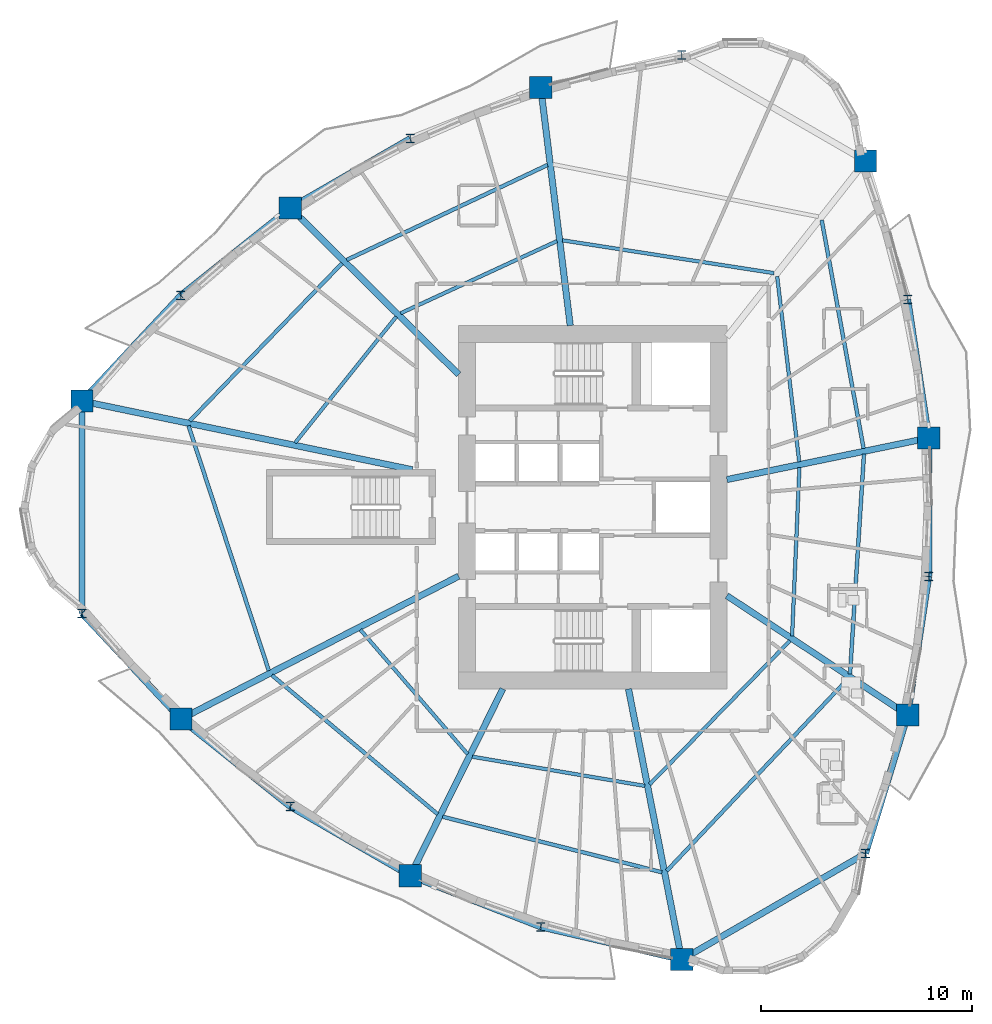
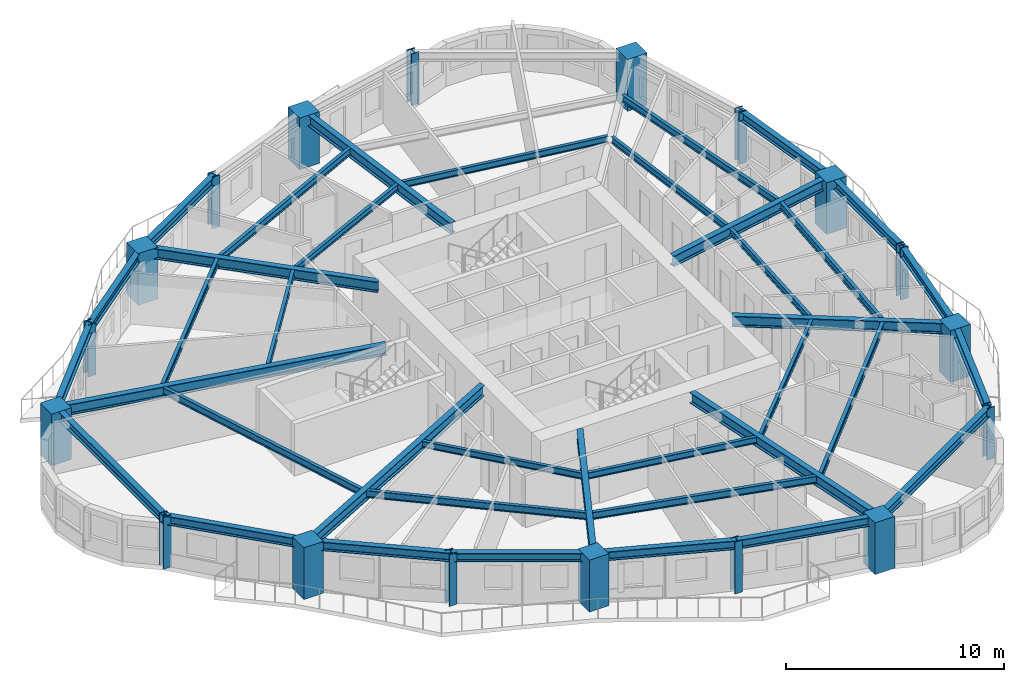
# One storey, part 1 of 13: 38 beams, 18 columns.
"""IFC4 building model written with IfcOpenShell, lengths in metres."""

from ifc_helpers import new_model, si_unit, direction, frame, origin, origin_2d, place, context, subcontext, project, spatial, rectangle, i_section, extrude, source, transform, mapped, material, material_profile, profile_set, type_object, element, save


model = new_model("IFC4")

# Units and contexts
model_context = context("Model", 3, precision=1e-05, world=origin(), true_north=direction((0.0, 1.0)))
body_context = subcontext(model_context, "Body", "Model", "MODEL_VIEW")
ifc_project = project(units=[si_unit("LENGTHUNIT", "METRE"), si_unit("AREAUNIT", "SQUARE_METRE"), si_unit("VOLUMEUNIT", "CUBIC_METRE"), si_unit("PLANEANGLEUNIT", "RADIAN"), si_unit("MASSUNIT", "GRAM", prefix="KILO")], contexts=[model_context])

# Site, building, storey
site_placement = place(None, origin())
site = spatial("IfcSite", under=ifc_project, at=site_placement, CompositionType="ELEMENT")
building_placement = place(site_placement, origin())
building = spatial("IfcBuilding", under=site, at=building_placement, Name="Qafzar Sky-Pleat Residences", CompositionType="ELEMENT")
storey_placement = place(building_placement, frame((0.0, 0.0, 62.199951171875)))
storey = spatial("IfcBuildingStorey", under=building, at=storey_placement, Name="L18", CompositionType="ELEMENT", Elevation=62.199951171875)

# Columns
ifc_material_1 = material(Name="Concrete C60/75", Category="concrete")
ifc_material_profile_1 = material_profile(ifc_material_1, rectangle(XDim=1.050048828125, YDim=1.050048828125, at=origin_2d()), Name="RC 1050x1050")
ifc_profile_set_1 = profile_set([ifc_material_profile_1], Name="Concrete C60/75")
column_type_1 = type_object("IfcColumnType", Name="COL-RC-1050", PredefinedType="COLUMN", material=ifc_profile_set_1)
shared_shape_1 = source(origin(), body_context, "Body", "SweptSolid", [
    extrude(rectangle(XDim=1.050048828125, YDim=1.050048828125, at=origin_2d()), origin(), (0.0, 0.0, 1.0), 2.900146484375),
])
for number, where, z_axis, x_axis, name in (
    (1, (6.175048828125, 31.02294921875, 0.0), (0.0, 0.0, 1.0), (1.0, 0.0, 0.0), "L18 Perimeter Mega Column 1"),
    (2, (10.85595703125, 15.97314453125, 0.0), (0.0, 0.0, 1.0), (1.0, 0.0, 0.0), "L18 Perimeter Mega Column 3"),
    (3, (21.712890625, 8.554443359375, 0.0), (0.0, 0.0, 1.0), (1.0, 0.0, 0.0), "L18 Perimeter Mega Column 5"),
    (4, (34.5625, 4.58740234375, 0.0), (0.0, 0.0, 1.0), (1.0, 0.0, 0.0), "L18 Perimeter Mega Column 7"),
    (5, (45.255615234375, 16.166259765625, 0.0), (0.0, 0.0, 1.0), (1.0, 0.0, 0.0), "L18 Perimeter Mega Column 9"),
    (6, (46.251953125, 29.27783203125, 0.0), (0.0, 0.0, 1.0), (1.0, 0.0, 0.0), "L18 Perimeter Mega Column 11"),
    (7, (43.262451171875, 42.389404296875, 0.0), (0.0, 0.0, 1.0), (1.0, 0.0, 0.0), "L18 Perimeter Mega Column 13"),
    (8, (27.888427734375, 45.860595703125, 0.0), (0.0, 0.0, 1.0), (1.0, 0.0, 0.0), "L18 Perimeter Mega Column 15"),
    (9, (16.035400390625, 40.167724609375, 0.0), (0.0, 0.0, 1.0), (1.0, 0.0, 0.0), "L18 Perimeter Mega Column 17"),
):
    element("IfcColumn", number, at=place(storey_placement, frame(where, z_axis=z_axis, x_axis=x_axis)), inside=storey, type_object=column_type_1, Name=name, PredefinedType="COLUMN", context=body_context, shape_type="MappedRepresentation", body=[
        mapped(shared_shape_1, transform((0.0, 0.0, 0.0), x_axis=(1.0, 0.0, 0.0), y_axis=(0.0, 1.0, 0.0), z_axis=(0.0, 0.0, 1.0), scale=1.0)),
    ])
ifc_material_2 = material(Name="Steel S460", Category="steel")
ifc_material_profile_2 = material_profile(ifc_material_2, i_section(OverallWidth=0.408935546875, OverallDepth=0.425048828125, WebThickness=0.030029296875, FlangeThickness=0.048095703125, FilletRadius=0.014892578125, at=origin_2d()), Name="HD 400x421")
ifc_profile_set_2 = profile_set([ifc_material_profile_2], Name="Steel S460")
column_type_2 = type_object("IfcColumnType", Name="COL-STL-HD421", PredefinedType="PILASTER", material=ifc_profile_set_2)
shared_shape_2 = source(origin(), body_context, "Body", "SweptSolid", [
    extrude(i_section(OverallWidth=0.408935546875, OverallDepth=0.425048828125, WebThickness=0.030029296875, FlangeThickness=0.048095703125, FilletRadius=0.014892578125, at=origin_2d()), origin(), (0.0, 0.0, 1.0), 2.900146484375),
])
for number, where, z_axis, x_axis, name in (
    (10, (6.175048828125, 20.97705078125, 0.0), (0.0, 0.0, 1.0), (1.0, 0.0, 0.0), "L18 Perimeter Mega Column 2"),
    (11, (16.035400390625, 11.832275390625, 0.0), (0.0, 0.0, 1.0), (1.0, 0.0, 0.0), "L18 Perimeter Mega Column 4"),
    (12, (27.888427734375, 6.139404296875, 0.0), (0.0, 0.0, 1.0), (1.0, 0.0, 0.0), "L18 Perimeter Mega Column 6"),
    (13, (43.262451171875, 9.610595703125, 0.0), (0.0, 0.0, 1.0), (1.0, 0.0, 0.0), "L18 Perimeter Mega Column 8"),
    (14, (46.251953125, 22.72216796875, 0.0), (0.0, 0.0, 1.0), (1.0, 0.0, 0.0), "L18 Perimeter Mega Column 10"),
    (15, (45.255615234375, 35.833740234375, 0.0), (0.0, 0.0, 1.0), (1.0, 0.0, 0.0), "L18 Perimeter Mega Column 12"),
    (16, (34.5625, 47.41259765625, 0.0), (0.0, 0.0, 1.0), (1.0, 0.0, 0.0), "L18 Perimeter Mega Column 14"),
    (17, (21.712890625, 43.445556640625, 0.0), (0.0, 0.0, 1.0), (1.0, 0.0, 0.0), "L18 Perimeter Mega Column 16"),
    (18, (10.85595703125, 36.02685546875, 0.0), (0.0, 0.0, 1.0), (1.0, 0.0, 0.0), "L18 Perimeter Mega Column 18"),
):
    element("IfcColumn", number, at=place(storey_placement, frame(where, z_axis=z_axis, x_axis=x_axis)), inside=storey, type_object=column_type_2, Name=name, PredefinedType="PILASTER", context=body_context, shape_type="MappedRepresentation", body=[
        mapped(shared_shape_2, transform((0.0, 0.0, 0.0), x_axis=(1.0, 0.0, 0.0), y_axis=(0.0, 1.0, 0.0), z_axis=(0.0, 0.0, 1.0), scale=1.0)),
    ])

# Beams
ifc_material_3 = material(Name="Steel S355", Category="steel")
ifc_material_profile_3 = material_profile(ifc_material_3, i_section(OverallWidth=0.300048828125, OverallDepth=0.5, WebThickness=0.014404296875, FlangeThickness=0.028076171875, FilletRadius=0.027099609375, at=origin_2d()), Name="HEB 500")
ifc_profile_set_3 = profile_set([ifc_material_profile_3], Name="Steel S355")
beam_type_1 = type_object("IfcBeamType", Name="BM-SPAN-HEB500", PredefinedType="SPANDREL", material=ifc_profile_set_3)
shared_shape_3 = source(origin(), body_context, "Body", "SweptSolid", [
    extrude(i_section(OverallWidth=0.300048828125, OverallDepth=0.5, WebThickness=0.014404296875, FlangeThickness=0.028076171875, FilletRadius=0.027099609375, at=origin_2d()), origin(), (0.0, 0.0, 1.0), 10.0458984375),
])
for number, where, z_axis, x_axis, name in (
    (19, (6.175048828125, 31.02294921875, 2.64794921875), (0.0, -1.0, 0.0), (1.0, 0.0, 0.0), "L18 Perimeter Spandrel Beam 1"),
    (20, (34.5625, 4.58740234375, 2.64794921875), (0.866013584312, 0.500020471368, 0.0), (-0.500020471368, 0.866013584312, 0.0), "L18 Perimeter Spandrel Beam 7"),
):
    element("IfcBeam", number, at=place(storey_placement, frame(where, z_axis=z_axis, x_axis=x_axis)), inside=storey, type_object=beam_type_1, Name=name, PredefinedType="SPANDREL", context=body_context, shape_type="MappedRepresentation", body=[
        mapped(shared_shape_3, transform((0.0, 0.0, 0.0), x_axis=(1.0, 0.0, 0.0), y_axis=(0.0, 1.0, 0.0), z_axis=(0.0, 0.0, 1.0), scale=1.0)),
    ])
shared_shape_4 = source(origin(), body_context, "Body", "SweptSolid", [
    extrude(i_section(OverallWidth=0.300048828125, OverallDepth=0.5, WebThickness=0.014404296875, FlangeThickness=0.028076171875, FilletRadius=0.027099609375, at=origin_2d()), origin(), (0.0, 0.0, 1.0), 6.85205078125),
])
for number, where, z_axis, x_axis, name in (
    (21, (6.175048828125, 20.97705078125, 2.64794921875), (0.683144256595, -0.730283455024, 0.0), (0.730283455024, 0.683144256595, 0.0), "L18 Perimeter Spandrel Beam 2"),
    (22, (27.888427734375, 6.139404296875, 2.64794921875), (0.974011500326, -0.226498559007, 0.0), (0.226498559007, 0.974011500326, 0.0), "L18 Perimeter Spandrel Beam 6"),
    (23, (43.262451171875, 9.610595703125, 2.64794921875), (0.290889380192, 0.95675669242, 0.0), (-0.95675669242, 0.290889380192, 0.0), "L18 Perimeter Spandrel Beam 8"),
    (24, (10.85595703125, 36.02685546875, 2.64794921875), (-0.683144256595, -0.730283455024, 0.0), (0.730283455024, -0.683144256595, 0.0), "L18 Perimeter Spandrel Beam 18"),
):
    element("IfcBeam", number, at=place(storey_placement, frame(where, z_axis=z_axis, x_axis=x_axis)), inside=storey, type_object=beam_type_1, Name=name, PredefinedType="SPANDREL", context=body_context, shape_type="MappedRepresentation", body=[
        mapped(shared_shape_4, transform((0.0, 0.0, 0.0), x_axis=(1.0, 0.0, 0.0), y_axis=(0.0, 1.0, 0.0), z_axis=(0.0, 0.0, 1.0), scale=1.0)),
    ])
shared_shape_5 = source(origin(), body_context, "Body", "SweptSolid", [
    extrude(i_section(OverallWidth=0.300048828125, OverallDepth=0.5, WebThickness=0.014404296875, FlangeThickness=0.028076171875, FilletRadius=0.027099609375, at=origin_2d()), origin(), (0.0, 0.0, 1.0), 6.63134765625),
])
for number, where, z_axis, x_axis, name in (
    (25, (10.85595703125, 15.97314453125, 2.64794921875), (0.781066323429, -0.624448075027, 0.0), (0.624448075027, 0.781066323429, 0.0), "L18 Perimeter Spandrel Beam 3"),
    (26, (16.035400390625, 40.167724609375, 2.64794921875), (-0.781066323429, -0.624448075027, 0.0), (0.624448075027, -0.781066323429, 0.0), "L18 Perimeter Spandrel Beam 17"),
):
    element("IfcBeam", number, at=place(storey_placement, frame(where, z_axis=z_axis, x_axis=x_axis)), inside=storey, type_object=beam_type_1, Name=name, PredefinedType="SPANDREL", context=body_context, shape_type="MappedRepresentation", body=[
        mapped(shared_shape_5, transform((0.0, 0.0, 0.0), x_axis=(1.0, 0.0, 0.0), y_axis=(0.0, 1.0, 0.0), z_axis=(0.0, 0.0, 1.0), scale=1.0)),
    ])
shared_shape_6 = source(origin(), body_context, "Body", "SweptSolid", [
    extrude(i_section(OverallWidth=0.300048828125, OverallDepth=0.5, WebThickness=0.014404296875, FlangeThickness=0.028076171875, FilletRadius=0.027099609375, at=origin_2d()), origin(), (0.0, 0.0, 1.0), 6.5556640625),
])
for number, where, z_axis, x_axis, name in (
    (27, (16.035400390625, 11.832275390625, 2.64794921875), (0.866029927155, -0.499992165211, 0.0), (0.499992165211, 0.866029927155, 0.0), "L18 Perimeter Spandrel Beam 4"),
    (28, (46.251953125, 22.72216796875, 2.64794921875), (0.0, 1.0, 0.0), (-1.0, 0.0, 0.0), "L18 Perimeter Spandrel Beam 10"),
    (29, (21.712890625, 43.445556640625, 2.64794921875), (-0.866029927155, -0.499992165211, 0.0), (0.499992165211, -0.866029927155, 0.0), "L18 Perimeter Spandrel Beam 16"),
):
    element("IfcBeam", number, at=place(storey_placement, frame(where, z_axis=z_axis, x_axis=x_axis)), inside=storey, type_object=beam_type_1, Name=name, PredefinedType="SPANDREL", context=body_context, shape_type="MappedRepresentation", body=[
        mapped(shared_shape_6, transform((0.0, 0.0, 0.0), x_axis=(1.0, 0.0, 0.0), y_axis=(0.0, 1.0, 0.0), z_axis=(0.0, 0.0, 1.0), scale=1.0)),
    ])
shared_shape_7 = source(origin(), body_context, "Body", "SweptSolid", [
    extrude(i_section(OverallWidth=0.300048828125, OverallDepth=0.5, WebThickness=0.014404296875, FlangeThickness=0.028076171875, FilletRadius=0.027099609375, at=origin_2d()), origin(), (0.0, 0.0, 1.0), 6.630859375),
])
beam_1_placement = place(storey_placement, frame((21.712890625, 8.554443359375, 2.64794921875), z_axis=(0.931318267356, -0.364206376782, 0.0), x_axis=(0.364206376782, 0.931318267356, 0.0)))
element("IfcBeam", 30, at=beam_1_placement, inside=storey, type_object=beam_type_1, Name="L18 Perimeter Spandrel Beam 5", PredefinedType="SPANDREL", context=body_context, shape_type="MappedRepresentation", body=[
    mapped(shared_shape_7, transform((0.0, 0.0, 0.0), x_axis=(1.0, 0.0, 0.0), y_axis=(0.0, 1.0, 0.0), z_axis=(0.0, 0.0, 1.0), scale=1.0)),
])
shared_shape_8 = source(origin(), body_context, "Body", "SweptSolid", [
    extrude(i_section(OverallWidth=0.300048828125, OverallDepth=0.5, WebThickness=0.014404296875, FlangeThickness=0.028076171875, FilletRadius=0.027099609375, at=origin_2d()), origin(), (0.0, 0.0, 1.0), 6.631103515625),
])
for number, where, z_axis, x_axis, name in (
    (31, (45.255615234375, 16.166259765625, 2.64794921875), (0.150250341483, 0.988647983301, 0.0), (-0.988647983301, 0.150250341483, 0.0), "L18 Perimeter Spandrel Beam 9"),
    (32, (46.251953125, 29.27783203125, 2.64794921875), (-0.150250341483, 0.988647983301, 0.0), (-0.988647983301, -0.150250341483, 0.0), "L18 Perimeter Spandrel Beam 11"),
):
    element("IfcBeam", number, at=place(storey_placement, frame(where, z_axis=z_axis, x_axis=x_axis)), inside=storey, type_object=beam_type_1, Name=name, PredefinedType="SPANDREL", context=body_context, shape_type="MappedRepresentation", body=[
        mapped(shared_shape_8, transform((0.0, 0.0, 0.0), x_axis=(1.0, 0.0, 0.0), y_axis=(0.0, 1.0, 0.0), z_axis=(0.0, 0.0, 1.0), scale=1.0)),
    ])
ifc_material_profile_4 = material_profile(ifc_material_3, i_section(OverallWidth=0.300048828125, OverallDepth=0.60009765625, WebThickness=0.015380859375, FlangeThickness=0.030029296875, FilletRadius=0.027099609375, at=origin_2d()), Name="HEB 600")
ifc_profile_set_4 = profile_set([ifc_material_profile_4], Name="Steel S355")
beam_type_2 = type_object("IfcBeamType", Name="BM-GIRD-HEB600", PredefinedType="BEAM", material=ifc_profile_set_4)
shared_shape_9 = source(origin(), body_context, "Body", "SweptSolid", [
    extrude(i_section(OverallWidth=0.300048828125, OverallDepth=0.60009765625, WebThickness=0.015380859375, FlangeThickness=0.030029296875, FilletRadius=0.027099609375, at=origin_2d()), origin(), (0.0, 0.0, 1.0), 15.9658203125),
])
beam_2_placement = place(storey_placement, frame((6.175048828125, 31.02294921875, 2.59814453125), z_axis=(0.979087655723, -0.20343884194, 0.0), x_axis=(0.20343884194, 0.979087655723, 0.0)))
element("IfcBeam", 33, at=beam_2_placement, inside=storey, type_object=beam_type_2, Name="L18 Radial Floor Girder 1", PredefinedType="BEAM", context=body_context, shape_type="MappedRepresentation", body=[
    mapped(shared_shape_9, transform((0.0, 0.0, 0.0), x_axis=(1.0, 0.0, 0.0), y_axis=(0.0, 1.0, 0.0), z_axis=(0.0, 0.0, 1.0), scale=1.0)),
])
shared_shape_10 = source(origin(), body_context, "Body", "SweptSolid", [
    extrude(i_section(OverallWidth=0.300048828125, OverallDepth=0.60009765625, WebThickness=0.015380859375, FlangeThickness=0.030029296875, FilletRadius=0.027099609375, at=origin_2d()), origin(), (0.0, 0.0, 1.0), 14.78076171875),
])
beam_3_placement = place(storey_placement, frame((10.85595703125, 15.97314453125, 2.59814453125), z_axis=(0.889261697254, 0.457398768906, 0.0), x_axis=(-0.457398768906, 0.889261697254, 0.0)))
element("IfcBeam", 34, at=beam_3_placement, inside=storey, type_object=beam_type_2, Name="L18 Radial Floor Girder 3", PredefinedType="BEAM", context=body_context, shape_type="MappedRepresentation", body=[
    mapped(shared_shape_10, transform((0.0, 0.0, 0.0), x_axis=(1.0, 0.0, 0.0), y_axis=(0.0, 1.0, 0.0), z_axis=(0.0, 0.0, 1.0), scale=1.0)),
])
shared_shape_11 = source(origin(), body_context, "Body", "SweptSolid", [
    extrude(i_section(OverallWidth=0.300048828125, OverallDepth=0.60009765625, WebThickness=0.015380859375, FlangeThickness=0.030029296875, FilletRadius=0.027099609375, at=origin_2d()), origin(), (0.0, 0.0, 1.0), 9.8701171875),
])
beam_4_placement = place(storey_placement, frame((21.712890625, 8.554443359375, 2.59814453125), z_axis=(0.44369776666, 0.896176484773, 0.0), x_axis=(-0.896176484773, 0.44369776666, 0.0)))
element("IfcBeam", 35, at=beam_4_placement, inside=storey, type_object=beam_type_2, Name="L18 Radial Floor Girder 5", PredefinedType="BEAM", context=body_context, shape_type="MappedRepresentation", body=[
    mapped(shared_shape_11, transform((0.0, 0.0, 0.0), x_axis=(1.0, 0.0, 0.0), y_axis=(0.0, 1.0, 0.0), z_axis=(0.0, 0.0, 1.0), scale=1.0)),
])
shared_shape_12 = source(origin(), body_context, "Body", "SweptSolid", [
    extrude(i_section(OverallWidth=0.300048828125, OverallDepth=0.60009765625, WebThickness=0.015380859375, FlangeThickness=0.030029296875, FilletRadius=0.027099609375, at=origin_2d()), origin(), (0.0, 0.0, 1.0), 13.05810546875),
])
beam_5_placement = place(storey_placement, frame((34.5625, 4.58740234375, 2.59814453125), z_axis=(-0.193023040618, 0.981194224295, 0.0), x_axis=(-0.981194224295, -0.193023040618, 0.0)))
element("IfcBeam", 36, at=beam_5_placement, inside=storey, type_object=beam_type_2, Name="L18 Radial Floor Girder 7", PredefinedType="BEAM", context=body_context, shape_type="MappedRepresentation", body=[
    mapped(shared_shape_12, transform((0.0, 0.0, 0.0), x_axis=(1.0, 0.0, 0.0), y_axis=(0.0, 1.0, 0.0), z_axis=(0.0, 0.0, 1.0), scale=1.0)),
])
shared_shape_13 = source(origin(), body_context, "Body", "SweptSolid", [
    extrude(i_section(OverallWidth=0.300048828125, OverallDepth=0.60009765625, WebThickness=0.015380859375, FlangeThickness=0.030029296875, FilletRadius=0.027099609375, at=origin_2d()), origin(), (0.0, 0.0, 1.0), 10.25),
])
beam_6_placement = place(storey_placement, frame((45.255615234375, 16.166259765625, 2.59814453125), z_axis=(-0.834708385067, 0.550692211584, 0.0), x_axis=(-0.550692211584, -0.834708385067, 0.0)))
element("IfcBeam", 37, at=beam_6_placement, inside=storey, type_object=beam_type_2, Name="L18 Radial Floor Girder 9", PredefinedType="BEAM", context=body_context, shape_type="MappedRepresentation", body=[
    mapped(shared_shape_13, transform((0.0, 0.0, 0.0), x_axis=(1.0, 0.0, 0.0), y_axis=(0.0, 1.0, 0.0), z_axis=(0.0, 0.0, 1.0), scale=1.0)),
])
shared_shape_14 = source(origin(), body_context, "Body", "SweptSolid", [
    extrude(i_section(OverallWidth=0.300048828125, OverallDepth=0.60009765625, WebThickness=0.015380859375, FlangeThickness=0.030029296875, FilletRadius=0.027099609375, at=origin_2d()), origin(), (0.0, 0.0, 1.0), 9.7529296875),
])
beam_7_placement = place(storey_placement, frame((46.251953125, 29.27783203125, 2.59814453125), z_axis=(-0.979408299393, -0.201889531875, 0.0), x_axis=(0.201889531875, -0.979408299393, 0.0)))
element("IfcBeam", 38, at=beam_7_placement, inside=storey, type_object=beam_type_2, Name="L18 Radial Floor Girder 11", PredefinedType="BEAM", context=body_context, shape_type="MappedRepresentation", body=[
    mapped(shared_shape_14, transform((0.0, 0.0, 0.0), x_axis=(1.0, 0.0, 0.0), y_axis=(0.0, 1.0, 0.0), z_axis=(0.0, 0.0, 1.0), scale=1.0)),
])
shared_shape_15 = source(origin(), body_context, "Body", "SweptSolid", [
    extrude(i_section(OverallWidth=0.300048828125, OverallDepth=0.60009765625, WebThickness=0.015380859375, FlangeThickness=0.030029296875, FilletRadius=0.027099609375, at=origin_2d()), origin(), (0.0, 0.0, 1.0), 11.3466796875),
])
beam_8_placement = place(storey_placement, frame((27.888427734375, 45.860595703125, 2.59814453125), z_axis=(0.123009821066, -0.992405453392, 0.0), x_axis=(0.992405453392, 0.123009821066, 0.0)))
element("IfcBeam", 39, at=beam_8_placement, inside=storey, type_object=beam_type_2, Name="L18 Radial Floor Girder 15", PredefinedType="BEAM", context=body_context, shape_type="MappedRepresentation", body=[
    mapped(shared_shape_15, transform((0.0, 0.0, 0.0), x_axis=(1.0, 0.0, 0.0), y_axis=(0.0, 1.0, 0.0), z_axis=(0.0, 0.0, 1.0), scale=1.0)),
])
shared_shape_16 = source(origin(), body_context, "Body", "SweptSolid", [
    extrude(i_section(OverallWidth=0.300048828125, OverallDepth=0.60009765625, WebThickness=0.015380859375, FlangeThickness=0.030029296875, FilletRadius=0.027099609375, at=origin_2d()), origin(), (0.0, 0.0, 1.0), 11.2060546875),
])
beam_9_placement = place(storey_placement, frame((16.035400390625, 40.167724609375, 2.59814453125), z_axis=(0.710746632195, -0.703448096751, 0.0), x_axis=(0.703448096751, 0.710746632195, 0.0)))
element("IfcBeam", 40, at=beam_9_placement, inside=storey, type_object=beam_type_2, Name="L18 Radial Floor Girder 17", PredefinedType="BEAM", context=body_context, shape_type="MappedRepresentation", body=[
    mapped(shared_shape_16, transform((0.0, 0.0, 0.0), x_axis=(1.0, 0.0, 0.0), y_axis=(0.0, 1.0, 0.0), z_axis=(0.0, 0.0, 1.0), scale=1.0)),
])
ifc_material_profile_5 = material_profile(ifc_material_3, i_section(OverallWidth=0.179931640625, OverallDepth=0.39990234375, WebThickness=0.008544921875, FlangeThickness=0.013427734375, FilletRadius=0.02099609375, at=origin_2d()), Name="IPE 400")
ifc_profile_set_5 = profile_set([ifc_material_profile_5], Name="Steel S355")
beam_type_3 = type_object("IfcBeamType", Name="BM-JST-IPE400", PredefinedType="JOIST", material=ifc_profile_set_5)
shared_shape_17 = source(origin(), body_context, "Body", "SweptSolid", [
    extrude(i_section(OverallWidth=0.179931640625, OverallDepth=0.39990234375, WebThickness=0.008544921875, FlangeThickness=0.013427734375, FilletRadius=0.02099609375, at=origin_2d()), origin(), (0.0, 0.0, 1.0), 12.197509765625),
])
beam_10_placement = place(storey_placement, frame((11.21923828125, 29.855224609375, 2.697998046875), z_axis=(0.311600442653, -0.950213220356, 0.0), x_axis=(0.950213220356, 0.311600442653, 0.0)))
element("IfcBeam", 41, at=beam_10_placement, inside=storey, type_object=beam_type_3, Name="L18 Outer Secondary Floor Joist 1", PredefinedType="JOIST", context=body_context, shape_type="MappedRepresentation", body=[
    mapped(shared_shape_17, transform((0.0, 0.0, 0.0), x_axis=(1.0, 0.0, 0.0), y_axis=(0.0, 1.0, 0.0), z_axis=(0.0, 0.0, 1.0), scale=1.0)),
])
shared_shape_18 = source(origin(), body_context, "Body", "SweptSolid", [
    extrude(i_section(OverallWidth=0.179931640625, OverallDepth=0.39990234375, WebThickness=0.008544921875, FlangeThickness=0.013427734375, FilletRadius=0.02099609375, at=origin_2d()), origin(), (0.0, 0.0, 1.0), 10.238037109375),
])
beam_11_placement = place(storey_placement, frame((15.16552734375, 18.0498046875, 2.697998046875), z_axis=(0.766274860115, -0.642512909408, 0.0), x_axis=(0.642512909408, 0.766274860115, 0.0)))
element("IfcBeam", 42, at=beam_11_placement, inside=storey, type_object=beam_type_3, Name="L18 Outer Secondary Floor Joist 2", PredefinedType="JOIST", context=body_context, shape_type="MappedRepresentation", body=[
    mapped(shared_shape_18, transform((0.0, 0.0, 0.0), x_axis=(1.0, 0.0, 0.0), y_axis=(0.0, 1.0, 0.0), z_axis=(0.0, 0.0, 1.0), scale=1.0)),
])
shared_shape_19 = source(origin(), body_context, "Body", "SweptSolid", [
    extrude(i_section(OverallWidth=0.179931640625, OverallDepth=0.39990234375, WebThickness=0.008544921875, FlangeThickness=0.013427734375, FilletRadius=0.02099609375, at=origin_2d()), origin(), (0.0, 0.0, 1.0), 10.708251953125),
])
beam_12_placement = place(storey_placement, frame((23.2451171875, 11.351806640625, 2.697998046875), z_axis=(0.969343343065, -0.245710161074, 0.0), x_axis=(0.245710161074, 0.969343343065, 0.0)))
element("IfcBeam", 43, at=beam_12_placement, inside=storey, type_object=beam_type_3, Name="L18 Outer Secondary Floor Joist 3", PredefinedType="JOIST", context=body_context, shape_type="MappedRepresentation", body=[
    mapped(shared_shape_19, transform((0.0, 0.0, 0.0), x_axis=(1.0, 0.0, 0.0), y_axis=(0.0, 1.0, 0.0), z_axis=(0.0, 0.0, 1.0), scale=1.0)),
])
shared_shape_20 = source(origin(), body_context, "Body", "SweptSolid", [
    extrude(i_section(OverallWidth=0.179931640625, OverallDepth=0.39990234375, WebThickness=0.008544921875, FlangeThickness=0.013427734375, FilletRadius=0.02099609375, at=origin_2d()), origin(), (0.0, 0.0, 1.0), 12.496337890625),
])
beam_13_placement = place(storey_placement, frame((33.8486328125, 8.78564453125, 2.697998046875), z_axis=(0.68631540496, 0.727304038841, 0.0), x_axis=(-0.727304038841, 0.68631540496, 0.0)))
element("IfcBeam", 44, at=beam_13_placement, inside=storey, type_object=beam_type_3, Name="L18 Outer Secondary Floor Joist 4", PredefinedType="JOIST", context=body_context, shape_type="MappedRepresentation", body=[
    mapped(shared_shape_20, transform((0.0, 0.0, 0.0), x_axis=(1.0, 0.0, 0.0), y_axis=(0.0, 1.0, 0.0), z_axis=(0.0, 0.0, 1.0), scale=1.0)),
])
shared_shape_21 = source(origin(), body_context, "Body", "SweptSolid", [
    extrude(i_section(OverallWidth=0.179931640625, OverallDepth=0.39990234375, WebThickness=0.008544921875, FlangeThickness=0.013427734375, FilletRadius=0.02099609375, at=origin_2d()), origin(), (0.0, 0.0, 1.0), 10.427001953125),
])
beam_14_placement = place(storey_placement, frame((42.5263671875, 18.107177734375, 2.697998046875), z_axis=(0.06333597045, 0.997992261917, 0.0), x_axis=(-0.997992261917, 0.06333597045, 0.0)))
element("IfcBeam", 45, at=beam_14_placement, inside=storey, type_object=beam_type_3, Name="L18 Outer Secondary Floor Joist 5", PredefinedType="JOIST", context=body_context, shape_type="MappedRepresentation", body=[
    mapped(shared_shape_21, transform((0.0, 0.0, 0.0), x_axis=(1.0, 0.0, 0.0), y_axis=(0.0, 1.0, 0.0), z_axis=(0.0, 0.0, 1.0), scale=1.0)),
])
shared_shape_22 = source(origin(), body_context, "Body", "SweptSolid", [
    extrude(i_section(OverallWidth=0.179931640625, OverallDepth=0.39990234375, WebThickness=0.008544921875, FlangeThickness=0.013427734375, FilletRadius=0.02099609375, at=origin_2d()), origin(), (0.0, 0.0, 1.0), 10.9912109375),
])
beam_15_placement = place(storey_placement, frame((43.1708984375, 28.780517578125, 2.697998046875), z_axis=(-0.180495845154, 0.983575746896, 0.0), x_axis=(-0.983575746896, -0.180495845154, 0.0)))
element("IfcBeam", 46, at=beam_15_placement, inside=storey, type_object=beam_type_3, Name="L18 Outer Secondary Floor Joist 6", PredefinedType="JOIST", context=body_context, shape_type="MappedRepresentation", body=[
    mapped(shared_shape_22, transform((0.0, 0.0, 0.0), x_axis=(1.0, 0.0, 0.0), y_axis=(0.0, 1.0, 0.0), z_axis=(0.0, 0.0, 1.0), scale=1.0)),
])
shared_shape_23 = source(origin(), body_context, "Body", "SweptSolid", [
    extrude(i_section(OverallWidth=0.179931640625, OverallDepth=0.39990234375, WebThickness=0.008544921875, FlangeThickness=0.013427734375, FilletRadius=0.02099609375, at=origin_2d()), origin(), (0.0, 0.0, 1.0), 10.516845703125),
])
beam_16_placement = place(storey_placement, frame((28.213134765625, 42.199462890625, 2.697998046875), z_axis=(-0.903986792831, -0.427560379815, 0.0), x_axis=(0.427560379815, -0.903986792831, 0.0)))
element("IfcBeam", 47, at=beam_16_placement, inside=storey, type_object=beam_type_3, Name="L18 Outer Secondary Floor Joist 8", PredefinedType="JOIST", context=body_context, shape_type="MappedRepresentation", body=[
    mapped(shared_shape_23, transform((0.0, 0.0, 0.0), x_axis=(1.0, 0.0, 0.0), y_axis=(0.0, 1.0, 0.0), z_axis=(0.0, 0.0, 1.0), scale=1.0)),
])
shared_shape_24 = source(origin(), body_context, "Body", "SweptSolid", [
    extrude(i_section(OverallWidth=0.179931640625, OverallDepth=0.39990234375, WebThickness=0.008544921875, FlangeThickness=0.013427734375, FilletRadius=0.02099609375, at=origin_2d()), origin(), (0.0, 0.0, 1.0), 10.38671875),
])
beam_17_placement = place(storey_placement, frame((18.490234375, 37.548095703125, 2.697998046875), z_axis=(-0.695053283652, -0.718958227496, 0.0), x_axis=(0.718958227496, -0.695053283652, 0.0)))
element("IfcBeam", 48, at=beam_17_placement, inside=storey, type_object=beam_type_3, Name="L18 Outer Secondary Floor Joist 9", PredefinedType="JOIST", context=body_context, shape_type="MappedRepresentation", body=[
    mapped(shared_shape_24, transform((0.0, 0.0, 0.0), x_axis=(1.0, 0.0, 0.0), y_axis=(0.0, 1.0, 0.0), z_axis=(0.0, 0.0, 1.0), scale=1.0)),
])
ifc_material_profile_6 = material_profile(ifc_material_3, i_section(OverallWidth=0.169921875, OverallDepth=0.360107421875, WebThickness=0.008056640625, FlangeThickness=0.0126953125, FilletRadius=0.01806640625, at=origin_2d()), Name="IPE 360")
ifc_profile_set_6 = profile_set([ifc_material_profile_6], Name="Steel S355")
beam_type_4 = type_object("IfcBeamType", Name="BM-JST-IPE360", PredefinedType="JOIST", material=ifc_profile_set_6)
shared_shape_25 = source(origin(), body_context, "Body", "SweptSolid", [
    extrude(i_section(OverallWidth=0.169921875, OverallDepth=0.360107421875, WebThickness=0.008056640625, FlangeThickness=0.0126953125, FilletRadius=0.01806640625, at=origin_2d()), origin(), (0.0, 0.0, 1.0), 7.7646484375),
])
beam_18_placement = place(storey_placement, frame((19.356201171875, 20.19775390625, 2.718017578125), z_axis=(0.653118734641, -0.757255517287, 0.0), x_axis=(0.757255517287, 0.653118734641, 0.0)))
element("IfcBeam", 49, at=beam_18_placement, inside=storey, type_object=beam_type_4, Name="L18 Inner Secondary Floor Joist 2", PredefinedType="JOIST", context=body_context, shape_type="MappedRepresentation", body=[
    mapped(shared_shape_25, transform((0.0, 0.0, 0.0), x_axis=(1.0, 0.0, 0.0), y_axis=(0.0, 1.0, 0.0), z_axis=(0.0, 0.0, 1.0), scale=1.0)),
])
shared_shape_26 = source(origin(), body_context, "Body", "SweptSolid", [
    extrude(i_section(OverallWidth=0.169921875, OverallDepth=0.360107421875, WebThickness=0.008056640625, FlangeThickness=0.0126953125, FilletRadius=0.01806640625, at=origin_2d()), origin(), (0.0, 0.0, 1.0), 8.28369140625),
])
beam_19_placement = place(storey_placement, frame((24.648681640625, 14.193115234375, 2.718017578125), z_axis=(0.985963648514, -0.166960126407, 0.0), x_axis=(0.166960126407, 0.985963648514, 0.0)))
element("IfcBeam", 50, at=beam_19_placement, inside=storey, type_object=beam_type_4, Name="L18 Inner Secondary Floor Joist 3", PredefinedType="JOIST", context=body_context, shape_type="MappedRepresentation", body=[
    mapped(shared_shape_26, transform((0.0, 0.0, 0.0), x_axis=(1.0, 0.0, 0.0), y_axis=(0.0, 1.0, 0.0), z_axis=(0.0, 0.0, 1.0), scale=1.0)),
])
shared_shape_27 = source(origin(), body_context, "Body", "SweptSolid", [
    extrude(i_section(OverallWidth=0.169921875, OverallDepth=0.360107421875, WebThickness=0.008056640625, FlangeThickness=0.0126953125, FilletRadius=0.01806640625, at=origin_2d()), origin(), (0.0, 0.0, 1.0), 9.504150390625),
])
beam_20_placement = place(storey_placement, frame((33.043701171875, 12.884033203125, 2.718017578125), z_axis=(0.698838877273, 0.715279122869, 0.0), x_axis=(-0.715279122869, 0.698838877273, 0.0)))
element("IfcBeam", 51, at=beam_20_placement, inside=storey, type_object=beam_type_4, Name="L18 Inner Secondary Floor Joist 4", PredefinedType="JOIST", context=body_context, shape_type="MappedRepresentation", body=[
    mapped(shared_shape_27, transform((0.0, 0.0, 0.0), x_axis=(1.0, 0.0, 0.0), y_axis=(0.0, 1.0, 0.0), z_axis=(0.0, 0.0, 1.0), scale=1.0)),
])
shared_shape_28 = source(origin(), body_context, "Body", "SweptSolid", [
    extrude(i_section(OverallWidth=0.169921875, OverallDepth=0.360107421875, WebThickness=0.008056640625, FlangeThickness=0.0126953125, FilletRadius=0.01806640625, at=origin_2d()), origin(), (0.0, 0.0, 1.0), 7.976806640625),
])
beam_21_placement = place(storey_placement, frame((39.785888671875, 19.91357421875, 2.718017578125), z_axis=(0.043491680487, 0.999053789207, 0.0), x_axis=(-0.999053789207, 0.043491680487, 0.0)))
element("IfcBeam", 52, at=beam_21_placement, inside=storey, type_object=beam_type_4, Name="L18 Inner Secondary Floor Joist 5", PredefinedType="JOIST", context=body_context, shape_type="MappedRepresentation", body=[
    mapped(shared_shape_28, transform((0.0, 0.0, 0.0), x_axis=(1.0, 0.0, 0.0), y_axis=(0.0, 1.0, 0.0), z_axis=(0.0, 0.0, 1.0), scale=1.0)),
])
shared_shape_29 = source(origin(), body_context, "Body", "SweptSolid", [
    extrude(i_section(OverallWidth=0.169921875, OverallDepth=0.360107421875, WebThickness=0.008056640625, FlangeThickness=0.0126953125, FilletRadius=0.01806640625, at=origin_2d()), origin(), (0.0, 0.0, 1.0), 8.834716796875),
])
beam_22_placement = place(storey_placement, frame((40.122802734375, 28.15185546875, 2.718017578125), z_axis=(-0.118192777896, 0.992990668261, 0.0), x_axis=(-0.992990668261, -0.118192777896, 0.0)))
element("IfcBeam", 53, at=beam_22_placement, inside=storey, type_object=beam_type_4, Name="L18 Inner Secondary Floor Joist 6", PredefinedType="JOIST", context=body_context, shape_type="MappedRepresentation", body=[
    mapped(shared_shape_29, transform((0.0, 0.0, 0.0), x_axis=(1.0, 0.0, 0.0), y_axis=(0.0, 1.0, 0.0), z_axis=(0.0, 0.0, 1.0), scale=1.0)),
])
shared_shape_30 = source(origin(), body_context, "Body", "SweptSolid", [
    extrude(i_section(OverallWidth=0.169921875, OverallDepth=0.360107421875, WebThickness=0.008056640625, FlangeThickness=0.0126953125, FilletRadius=0.01806640625, at=origin_2d()), origin(), (0.0, 0.0, 1.0), 10.134033203125),
])
beam_23_placement = place(storey_placement, frame((38.92919921875, 37.079345703125, 2.718017578125), z_axis=(-0.988177050056, 0.153317049748, 0.0), x_axis=(-0.153317049748, -0.988177050056, 0.0)))
element("IfcBeam", 54, at=beam_23_placement, inside=storey, type_object=beam_type_4, Name="L18 Inner Secondary Floor Joist 7", PredefinedType="JOIST", context=body_context, shape_type="MappedRepresentation", body=[
    mapped(shared_shape_30, transform((0.0, 0.0, 0.0), x_axis=(1.0, 0.0, 0.0), y_axis=(0.0, 1.0, 0.0), z_axis=(0.0, 0.0, 1.0), scale=1.0)),
])
shared_shape_31 = source(origin(), body_context, "Body", "SweptSolid", [
    extrude(i_section(OverallWidth=0.169921875, OverallDepth=0.360107421875, WebThickness=0.008056640625, FlangeThickness=0.0126953125, FilletRadius=0.01806640625, at=origin_2d()), origin(), (0.0, 0.0, 1.0), 8.15478515625),
])
beam_24_placement = place(storey_placement, frame((28.6591796875, 38.59716796875, 2.718017578125), z_axis=(-0.907920825462, -0.419141711946, 0.0), x_axis=(0.419141711946, -0.907920825462, 0.0)))
element("IfcBeam", 55, at=beam_24_placement, inside=storey, type_object=beam_type_4, Name="L18 Inner Secondary Floor Joist 8", PredefinedType="JOIST", context=body_context, shape_type="MappedRepresentation", body=[
    mapped(shared_shape_31, transform((0.0, 0.0, 0.0), x_axis=(1.0, 0.0, 0.0), y_axis=(0.0, 1.0, 0.0), z_axis=(0.0, 0.0, 1.0), scale=1.0)),
])
shared_shape_32 = source(origin(), body_context, "Body", "SweptSolid", [
    extrude(i_section(OverallWidth=0.169921875, OverallDepth=0.360107421875, WebThickness=0.008056640625, FlangeThickness=0.0126953125, FilletRadius=0.01806640625, at=origin_2d()), origin(), (0.0, 0.0, 1.0), 7.64892578125),
])
beam_25_placement = place(storey_placement, frame((21.04833984375, 35.017333984375, 2.718017578125), z_axis=(-0.625508242846, -0.780217558205, 0.0), x_axis=(0.780217558205, -0.625508242846, 0.0)))
element("IfcBeam", 56, at=beam_25_placement, inside=storey, type_object=beam_type_4, Name="L18 Inner Secondary Floor Joist 9", PredefinedType="JOIST", context=body_context, shape_type="MappedRepresentation", body=[
    mapped(shared_shape_32, transform((0.0, 0.0, 0.0), x_axis=(1.0, 0.0, 0.0), y_axis=(0.0, 1.0, 0.0), z_axis=(0.0, 0.0, 1.0), scale=1.0)),
])

save(model, "model.ifc")
